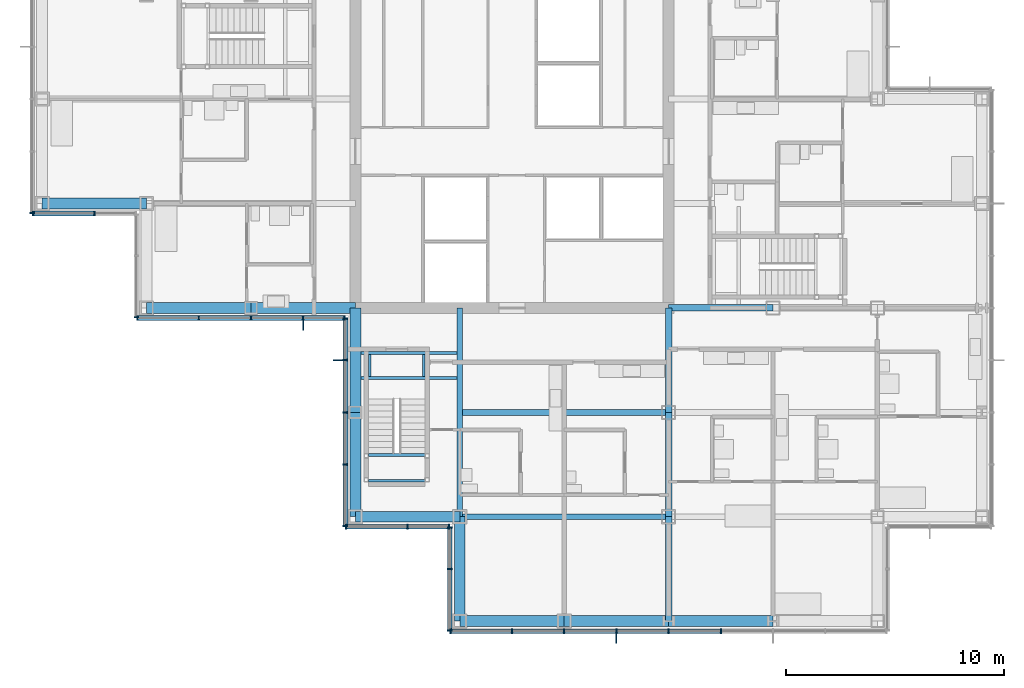
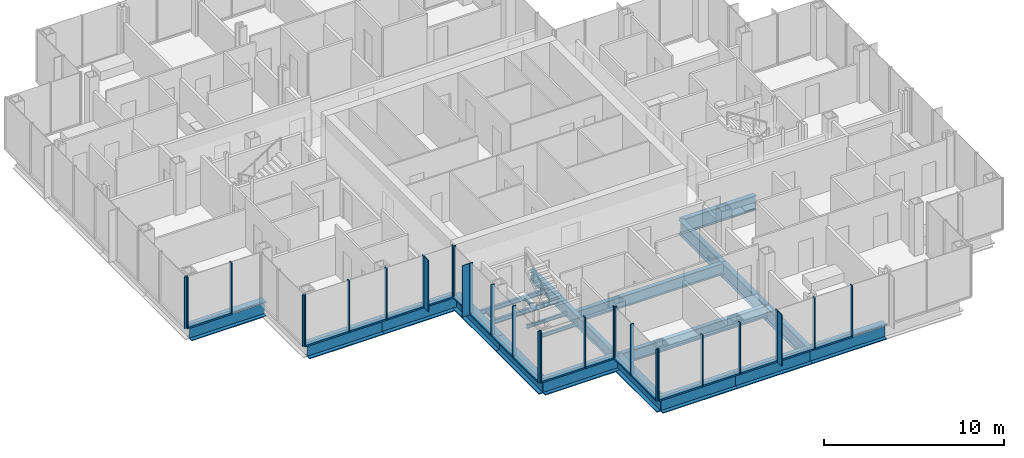
# One storey, part 6 of 20: 47 members, 23 beams, 8 elements without a shape of their own.
"""IFC4 building model written with IfcOpenShell, lengths in metres."""

from ifc_helpers import new_model, si_unit, direction, frame, origin, origin_2d, place, context, subcontext, project, spatial, rectangle, i_section, extrude, material, material_profile, profile_set, type_object, element, aggregate, save


model = new_model("IFC4")

# Units and contexts
model_context = context("Model", 3, precision=1e-05, world=origin(), true_north=direction((0.0, 1.0)))
body_context = subcontext(model_context, "Body", "Model", "MODEL_VIEW")
ifc_project = project(units=[si_unit("LENGTHUNIT", "METRE"), si_unit("AREAUNIT", "SQUARE_METRE"), si_unit("VOLUMEUNIT", "CUBIC_METRE"), si_unit("PLANEANGLEUNIT", "RADIAN"), si_unit("MASSUNIT", "GRAM", prefix="KILO")], contexts=[model_context])

# Site, building, storey
site_placement = place(None, origin())
site = spatial("IfcSite", under=ifc_project, at=site_placement, CompositionType="ELEMENT")
building_placement = place(site_placement, origin())
building = spatial("IfcBuilding", under=site, at=building_placement, Name="Kvirike Care Tower", CompositionType="ELEMENT")
storey_placement = place(building_placement, frame((0.0, 0.0, 105.0)))
storey = spatial("IfcBuildingStorey", under=building, at=storey_placement, Name="L28", CompositionType="ELEMENT", Elevation=105.0)

# Curtain wall, member
ifc_material_1 = material(Name="Anodised aluminium stick system", Category="aluminium")
curtain_wall_type = type_object("IfcCurtainWallType", Name="CW-B STICK CURTAIN WALL", PredefinedType="NOTDEFINED", material=ifc_material_1)
curtain_wall_1_placement = place(storey_placement, origin())
curtain_wall_1 = element("IfcCurtainWall", 1, at=curtain_wall_1_placement, inside=storey, type_object=curtain_wall_type, Name="Curtain wall L28 face 14", PredefinedType="NOTDEFINED")
ifc_material_2 = material(Name="Bronze anodised aluminium fin", Category="aluminium")
ifc_material_profile_1 = material_profile(ifc_material_2, rectangle(XDim=0.050048828125, YDim=0.449951171875, at=origin_2d()), Name="BRONZE FIN 450")
ifc_profile_set_1 = profile_set([ifc_material_profile_1], Name="Bronze anodised aluminium fin")
member_type_1 = type_object("IfcMemberType", Name="BRONZE FIN 450", PredefinedType="USERDEFINED", material=ifc_profile_set_1)
member_1_placement = place(storey_placement, frame((12.0, 28.0048828125, 0.0), z_axis=(0.0, 0.0, 1.0), x_axis=(1.0, 0.0, 0.0)))
member_1 = element("IfcMember", 2, at=member_1_placement, type_object=member_type_1, Name="Bronze fin L28 face 14.4", ObjectType="FIN", PredefinedType="USERDEFINED", context=body_context, shape_type="SweptSolid", body=[
    extrude(rectangle(XDim=0.050048828125, YDim=0.449951171875, at=origin_2d()), origin(), (0.0, 0.0, 1.0), 3.5),
])

curtain_wall_2_placement = place(storey_placement, origin())
curtain_wall_2 = element("IfcCurtainWall", 3, at=curtain_wall_2_placement, inside=storey, type_object=curtain_wall_type, Name="Curtain wall L28 face 15", PredefinedType="NOTDEFINED")
member_2_placement = place(storey_placement, frame((13.60498046875, 26.39990234375, 0.0), z_axis=(0.0, 0.0, 1.0), x_axis=(0.0, -1.0, 0.0)))
member_2 = element("IfcMember", 4, at=member_2_placement, type_object=member_type_1, Name="Bronze fin L28 face 15.2", ObjectType="FIN", PredefinedType="USERDEFINED", context=body_context, shape_type="SweptSolid", body=[
    extrude(rectangle(XDim=0.050048828125, YDim=0.449951171875, at=origin_2d()), origin(), (0.0, 0.0, 1.0), 3.5),
])

curtain_wall_3_placement = place(storey_placement, origin())
curtain_wall_3 = element("IfcCurtainWall", 5, at=curtain_wall_3_placement, inside=storey, type_object=curtain_wall_type, Name="Curtain wall L28 face 18", PredefinedType="NOTDEFINED")
member_3_placement = place(storey_placement, frame((26.39990234375, 13.60498046875, 0.0), z_axis=(0.0, 0.0, 1.0), x_axis=(1.0, 0.0, 0.0)))
member_3 = element("IfcMember", 6, at=member_3_placement, type_object=member_type_1, Name="Bronze fin L28 face 18.4", ObjectType="FIN", PredefinedType="USERDEFINED", context=body_context, shape_type="SweptSolid", body=[
    extrude(rectangle(XDim=0.050048828125, YDim=0.449951171875, at=origin_2d()), origin(), (0.0, 0.0, 1.0), 3.5),
])

curtain_wall_4_placement = place(storey_placement, origin())
curtain_wall_4 = element("IfcCurtainWall", 7, at=curtain_wall_4_placement, inside=storey, type_object=curtain_wall_type, Name="Curtain wall L28 face 11", PredefinedType="NOTDEFINED")
ifc_material_3 = material(Name="Bronze anodised aluminium mullion", Category="aluminium")
ifc_material_profile_2 = material_profile(ifc_material_3, rectangle(XDim=0.06494140625, YDim=0.219970703125, at=origin_2d()), Name="CW-B MULLION 65x220")
ifc_profile_set_2 = profile_set([ifc_material_profile_2], Name="Bronze anodised aluminium mullion")
member_type_2 = type_object("IfcMemberType", Name="CW-B MULLION 65x220", PredefinedType="MULLION", material=ifc_profile_set_2)
member_4_placement = place(storey_placement, frame((-0.4599609375, 33.172607421875, 0.0), z_axis=(0.0, 0.0, 1.0), x_axis=(0.0, -1.0, 0.0)))
member_4 = element("IfcMember", 8, at=member_4_placement, type_object=member_type_2, Name="CW-B mullion L28 face 11.9", PredefinedType="MULLION", context=body_context, shape_type="SweptSolid", body=[
    extrude(rectangle(XDim=0.06494140625, YDim=0.219970703125, at=origin_2d()), origin(), (0.0, 0.0, 1.0), 3.5),
])
aggregate(curtain_wall_4, [member_4])

# Curtain wall, members
curtain_wall_5_placement = place(storey_placement, origin())
curtain_wall_5 = element("IfcCurtainWall", 9, at=curtain_wall_5_placement, inside=storey, type_object=curtain_wall_type, Name="Curtain wall L28 face 12", PredefinedType="NOTDEFINED")
member_5_placement = place(storey_placement, frame((-0.427490234375, 33.139892578125, 0.0), z_axis=(0.0, 0.0, 1.0), x_axis=(1.0, 0.0, 0.0)))
member_5 = element("IfcMember", 10, at=member_5_placement, type_object=member_type_2, Name="CW-B mullion L28 face 12.1", PredefinedType="MULLION", context=body_context, shape_type="SweptSolid", body=[
    extrude(rectangle(XDim=0.06494140625, YDim=0.219970703125, at=origin_2d()), origin(), (0.0, 0.0, 1.0), 3.5),
])
member_6_placement = place(storey_placement, frame((2.39990234375, 33.139892578125, 0.0), z_axis=(0.0, 0.0, 1.0), x_axis=(1.0, 0.0, 0.0)))
member_6 = element("IfcMember", 11, at=member_6_placement, type_object=member_type_2, Name="CW-B mullion L28 face 12.2", PredefinedType="MULLION", context=body_context, shape_type="SweptSolid", body=[
    extrude(rectangle(XDim=0.06494140625, YDim=0.219970703125, at=origin_2d()), origin(), (0.0, 0.0, 1.0), 3.5),
])

# Curtain wall, member
curtain_wall_6_placement = place(storey_placement, origin())
curtain_wall_6 = element("IfcCurtainWall", 12, at=curtain_wall_6_placement, inside=storey, type_object=curtain_wall_type, Name="Curtain wall L28 face 13", PredefinedType="NOTDEFINED")
member_7_placement = place(storey_placement, frame((4.340087890625, 28.37255859375, 0.0), z_axis=(0.0, 0.0, 1.0), x_axis=(0.0, -1.0, 0.0)))
member_7 = element("IfcMember", 13, at=member_7_placement, type_object=member_type_2, Name="CW-B mullion L28 face 13.3", PredefinedType="MULLION", context=body_context, shape_type="SweptSolid", body=[
    extrude(rectangle(XDim=0.06494140625, YDim=0.219970703125, at=origin_2d()), origin(), (0.0, 0.0, 1.0), 3.5),
])
aggregate(curtain_wall_6, [member_7])

# Member
member_8_placement = place(storey_placement, frame((4.37255859375, 28.340087890625, 0.0), z_axis=(0.0, 0.0, 1.0), x_axis=(1.0, 0.0, 0.0)))
member_8 = element("IfcMember", 14, at=member_8_placement, type_object=member_type_2, Name="CW-B mullion L28 face 14.1", PredefinedType="MULLION", context=body_context, shape_type="SweptSolid", body=[
    extrude(rectangle(XDim=0.06494140625, YDim=0.219970703125, at=origin_2d()), origin(), (0.0, 0.0, 1.0), 3.5),
])

member_9_placement = place(storey_placement, frame((7.199951171875, 28.340087890625, 0.0), z_axis=(0.0, 0.0, 1.0), x_axis=(1.0, 0.0, 0.0)))
member_9 = element("IfcMember", 15, at=member_9_placement, type_object=member_type_2, Name="CW-B mullion L28 face 14.2", PredefinedType="MULLION", context=body_context, shape_type="SweptSolid", body=[
    extrude(rectangle(XDim=0.06494140625, YDim=0.219970703125, at=origin_2d()), origin(), (0.0, 0.0, 1.0), 3.5),
])

member_10_placement = place(storey_placement, frame((9.60009765625, 28.340087890625, 0.0), z_axis=(0.0, 0.0, 1.0), x_axis=(1.0, 0.0, 0.0)))
member_10 = element("IfcMember", 16, at=member_10_placement, type_object=member_type_2, Name="CW-B mullion L28 face 14.3", PredefinedType="MULLION", context=body_context, shape_type="SweptSolid", body=[
    extrude(rectangle(XDim=0.06494140625, YDim=0.219970703125, at=origin_2d()), origin(), (0.0, 0.0, 1.0), 3.5),
])

member_11_placement = place(storey_placement, frame((12.0, 28.340087890625, 0.0), z_axis=(0.0, 0.0, 1.0), x_axis=(1.0, 0.0, 0.0)))
member_11 = element("IfcMember", 17, at=member_11_placement, type_object=member_type_2, Name="CW-B mullion L28 face 14.4", PredefinedType="MULLION", context=body_context, shape_type="SweptSolid", body=[
    extrude(rectangle(XDim=0.06494140625, YDim=0.219970703125, at=origin_2d()), origin(), (0.0, 0.0, 1.0), 3.5),
])

member_12_placement = place(storey_placement, frame((13.907470703125, 28.340087890625, 0.0), z_axis=(0.0, 0.0, 1.0), x_axis=(1.0, 0.0, 0.0)))
member_12 = element("IfcMember", 18, at=member_12_placement, type_object=member_type_2, Name="CW-B mullion L28 face 14.5", PredefinedType="MULLION", context=body_context, shape_type="SweptSolid", body=[
    extrude(rectangle(XDim=0.06494140625, YDim=0.219970703125, at=origin_2d()), origin(), (0.0, 0.0, 1.0), 3.5),
])

member_13_placement = place(storey_placement, frame((13.93994140625, 28.3076171875, 0.0), z_axis=(0.0, 0.0, 1.0), x_axis=(0.0, -1.0, 0.0)))
member_13 = element("IfcMember", 19, at=member_13_placement, type_object=member_type_2, Name="CW-B mullion L28 face 15.1", PredefinedType="MULLION", context=body_context, shape_type="SweptSolid", body=[
    extrude(rectangle(XDim=0.06494140625, YDim=0.219970703125, at=origin_2d()), origin(), (0.0, 0.0, 1.0), 3.5),
])

member_14_placement = place(storey_placement, frame((13.93994140625, 26.39990234375, 0.0), z_axis=(0.0, 0.0, 1.0), x_axis=(0.0, -1.0, 0.0)))
member_14 = element("IfcMember", 20, at=member_14_placement, type_object=member_type_2, Name="CW-B mullion L28 face 15.2", PredefinedType="MULLION", context=body_context, shape_type="SweptSolid", body=[
    extrude(rectangle(XDim=0.06494140625, YDim=0.219970703125, at=origin_2d()), origin(), (0.0, 0.0, 1.0), 3.5),
])

member_15_placement = place(storey_placement, frame((13.93994140625, 24.0, 0.0), z_axis=(0.0, 0.0, 1.0), x_axis=(0.0, -1.0, 0.0)))
member_15 = element("IfcMember", 21, at=member_15_placement, type_object=member_type_2, Name="CW-B mullion L28 face 15.3", PredefinedType="MULLION", context=body_context, shape_type="SweptSolid", body=[
    extrude(rectangle(XDim=0.06494140625, YDim=0.219970703125, at=origin_2d()), origin(), (0.0, 0.0, 1.0), 3.5),
])

member_16_placement = place(storey_placement, frame((13.93994140625, 21.60009765625, 0.0), z_axis=(0.0, 0.0, 1.0), x_axis=(0.0, -1.0, 0.0)))
member_16 = element("IfcMember", 22, at=member_16_placement, type_object=member_type_2, Name="CW-B mullion L28 face 15.4", PredefinedType="MULLION", context=body_context, shape_type="SweptSolid", body=[
    extrude(rectangle(XDim=0.06494140625, YDim=0.219970703125, at=origin_2d()), origin(), (0.0, 0.0, 1.0), 3.5),
])

member_17_placement = place(storey_placement, frame((13.93994140625, 18.7724609375, 0.0), z_axis=(0.0, 0.0, 1.0), x_axis=(0.0, -1.0, 0.0)))
member_17 = element("IfcMember", 23, at=member_17_placement, type_object=member_type_2, Name="CW-B mullion L28 face 15.5", PredefinedType="MULLION", context=body_context, shape_type="SweptSolid", body=[
    extrude(rectangle(XDim=0.06494140625, YDim=0.219970703125, at=origin_2d()), origin(), (0.0, 0.0, 1.0), 3.5),
])

# Curtain wall, members
curtain_wall_7_placement = place(storey_placement, origin())
curtain_wall_7 = element("IfcCurtainWall", 24, at=curtain_wall_7_placement, inside=storey, type_object=curtain_wall_type, Name="Curtain wall L28 face 16", PredefinedType="NOTDEFINED")
member_18_placement = place(storey_placement, frame((13.972412109375, 18.739990234375, 0.0), z_axis=(0.0, 0.0, 1.0), x_axis=(1.0, 0.0, 0.0)))
member_18 = element("IfcMember", 25, at=member_18_placement, type_object=member_type_2, Name="CW-B mullion L28 face 16.1", PredefinedType="MULLION", context=body_context, shape_type="SweptSolid", body=[
    extrude(rectangle(XDim=0.06494140625, YDim=0.219970703125, at=origin_2d()), origin(), (0.0, 0.0, 1.0), 3.5),
])
member_19_placement = place(storey_placement, frame((16.800048828125, 18.739990234375, 0.0), z_axis=(0.0, 0.0, 1.0), x_axis=(1.0, 0.0, 0.0)))
member_19 = element("IfcMember", 26, at=member_19_placement, type_object=member_type_2, Name="CW-B mullion L28 face 16.2", PredefinedType="MULLION", context=body_context, shape_type="SweptSolid", body=[
    extrude(rectangle(XDim=0.06494140625, YDim=0.219970703125, at=origin_2d()), origin(), (0.0, 0.0, 1.0), 3.5),
])
member_20_placement = place(storey_placement, frame((18.70751953125, 18.739990234375, 0.0), z_axis=(0.0, 0.0, 1.0), x_axis=(1.0, 0.0, 0.0)))
member_20 = element("IfcMember", 27, at=member_20_placement, type_object=member_type_2, Name="CW-B mullion L28 face 16.3", PredefinedType="MULLION", context=body_context, shape_type="SweptSolid", body=[
    extrude(rectangle(XDim=0.06494140625, YDim=0.219970703125, at=origin_2d()), origin(), (0.0, 0.0, 1.0), 3.5),
])

curtain_wall_8_placement = place(storey_placement, origin())
curtain_wall_8 = element("IfcCurtainWall", 28, at=curtain_wall_8_placement, inside=storey, type_object=curtain_wall_type, Name="Curtain wall L28 face 17", PredefinedType="NOTDEFINED")
member_21_placement = place(storey_placement, frame((18.739990234375, 18.70751953125, 0.0), z_axis=(0.0, 0.0, 1.0), x_axis=(0.0, -1.0, 0.0)))
member_21 = element("IfcMember", 29, at=member_21_placement, type_object=member_type_2, Name="CW-B mullion L28 face 17.1", PredefinedType="MULLION", context=body_context, shape_type="SweptSolid", body=[
    extrude(rectangle(XDim=0.06494140625, YDim=0.219970703125, at=origin_2d()), origin(), (0.0, 0.0, 1.0), 3.5),
])
member_22_placement = place(storey_placement, frame((18.739990234375, 16.800048828125, 0.0), z_axis=(0.0, 0.0, 1.0), x_axis=(0.0, -1.0, 0.0)))
member_22 = element("IfcMember", 30, at=member_22_placement, type_object=member_type_2, Name="CW-B mullion L28 face 17.2", PredefinedType="MULLION", context=body_context, shape_type="SweptSolid", body=[
    extrude(rectangle(XDim=0.06494140625, YDim=0.219970703125, at=origin_2d()), origin(), (0.0, 0.0, 1.0), 3.5),
])
member_23_placement = place(storey_placement, frame((18.739990234375, 13.972412109375, 0.0), z_axis=(0.0, 0.0, 1.0), x_axis=(0.0, -1.0, 0.0)))
member_23 = element("IfcMember", 31, at=member_23_placement, type_object=member_type_2, Name="CW-B mullion L28 face 17.3", PredefinedType="MULLION", context=body_context, shape_type="SweptSolid", body=[
    extrude(rectangle(XDim=0.06494140625, YDim=0.219970703125, at=origin_2d()), origin(), (0.0, 0.0, 1.0), 3.5),
])

# Member
member_24_placement = place(storey_placement, frame((18.7724609375, 13.93994140625, 0.0), z_axis=(0.0, 0.0, 1.0), x_axis=(1.0, 0.0, 0.0)))
member_24 = element("IfcMember", 32, at=member_24_placement, type_object=member_type_2, Name="CW-B mullion L28 face 18.1", PredefinedType="MULLION", context=body_context, shape_type="SweptSolid", body=[
    extrude(rectangle(XDim=0.06494140625, YDim=0.219970703125, at=origin_2d()), origin(), (0.0, 0.0, 1.0), 3.5),
])

member_25_placement = place(storey_placement, frame((21.60009765625, 13.93994140625, 0.0), z_axis=(0.0, 0.0, 1.0), x_axis=(1.0, 0.0, 0.0)))
member_25 = element("IfcMember", 33, at=member_25_placement, type_object=member_type_2, Name="CW-B mullion L28 face 18.2", PredefinedType="MULLION", context=body_context, shape_type="SweptSolid", body=[
    extrude(rectangle(XDim=0.06494140625, YDim=0.219970703125, at=origin_2d()), origin(), (0.0, 0.0, 1.0), 3.5),
])

member_26_placement = place(storey_placement, frame((24.0, 13.93994140625, 0.0), z_axis=(0.0, 0.0, 1.0), x_axis=(1.0, 0.0, 0.0)))
member_26 = element("IfcMember", 34, at=member_26_placement, type_object=member_type_2, Name="CW-B mullion L28 face 18.3", PredefinedType="MULLION", context=body_context, shape_type="SweptSolid", body=[
    extrude(rectangle(XDim=0.06494140625, YDim=0.219970703125, at=origin_2d()), origin(), (0.0, 0.0, 1.0), 3.5),
])

member_27_placement = place(storey_placement, frame((26.39990234375, 13.93994140625, 0.0), z_axis=(0.0, 0.0, 1.0), x_axis=(1.0, 0.0, 0.0)))
member_27 = element("IfcMember", 35, at=member_27_placement, type_object=member_type_2, Name="CW-B mullion L28 face 18.4", PredefinedType="MULLION", context=body_context, shape_type="SweptSolid", body=[
    extrude(rectangle(XDim=0.06494140625, YDim=0.219970703125, at=origin_2d()), origin(), (0.0, 0.0, 1.0), 3.5),
])

member_28_placement = place(storey_placement, frame((28.800048828125, 13.93994140625, 0.0), z_axis=(0.0, 0.0, 1.0), x_axis=(1.0, 0.0, 0.0)))
member_28 = element("IfcMember", 36, at=member_28_placement, type_object=member_type_2, Name="CW-B mullion L28 face 18.5", PredefinedType="MULLION", context=body_context, shape_type="SweptSolid", body=[
    extrude(rectangle(XDim=0.06494140625, YDim=0.219970703125, at=origin_2d()), origin(), (0.0, 0.0, 1.0), 3.5),
])

member_29_placement = place(storey_placement, frame((31.199951171875, 13.93994140625, 0.0), z_axis=(0.0, 0.0, 1.0), x_axis=(1.0, 0.0, 0.0)))
member_29 = element("IfcMember", 37, at=member_29_placement, type_object=member_type_2, Name="CW-B mullion L28 face 18.6", PredefinedType="MULLION", context=body_context, shape_type="SweptSolid", body=[
    extrude(rectangle(XDim=0.06494140625, YDim=0.219970703125, at=origin_2d()), origin(), (0.0, 0.0, 1.0), 3.5),
])

ifc_material_4 = material(Name="Bronze anodised aluminium transom", Category="aluminium")
ifc_material_profile_3 = material_profile(ifc_material_4, rectangle(XDim=0.219970703125, YDim=0.10009765625, at=origin_2d()), Name="CW-B TRANSOM 220x100")
ifc_profile_set_3 = profile_set([ifc_material_profile_3], Name="Bronze anodised aluminium transom")
member_type_3 = type_object("IfcMemberType", Name="CW-B TRANSOM 220x100", PredefinedType="USERDEFINED", material=ifc_profile_set_3)
member_30_placement = place(storey_placement, frame((-0.39501953125, 33.139892578125, 0.050048828125), z_axis=(1.0, 0.0, 0.0), x_axis=(0.0, 1.0, 0.0)))
member_30 = element("IfcMember", 38, at=member_30_placement, type_object=member_type_3, Name="CW-B sill transom L28 face 12.1", ObjectType="TRANSOM", PredefinedType="USERDEFINED", context=body_context, shape_type="SweptSolid", body=[
    extrude(rectangle(XDim=0.219970703125, YDim=0.10009765625, at=origin_2d()), origin(), (0.0, 0.0, 1.0), 2.762451171875),
])

aggregate(curtain_wall_5, [member_5, member_6, member_30])

member_31_placement = place(storey_placement, frame((4.405029296875, 28.340087890625, 0.050048828125), z_axis=(1.0, 0.0, 0.0), x_axis=(0.0, 1.0, 0.0)))
member_31 = element("IfcMember", 39, at=member_31_placement, type_object=member_type_3, Name="CW-B sill transom L28 face 14.1", ObjectType="TRANSOM", PredefinedType="USERDEFINED", context=body_context, shape_type="SweptSolid", body=[
    extrude(rectangle(XDim=0.219970703125, YDim=0.10009765625, at=origin_2d()), origin(), (0.0, 0.0, 1.0), 2.762451171875),
])

member_32_placement = place(storey_placement, frame((7.232421875, 28.340087890625, 0.050048828125), z_axis=(1.0, 0.0, 0.0), x_axis=(0.0, 1.0, 0.0)))
member_32 = element("IfcMember", 40, at=member_32_placement, type_object=member_type_3, Name="CW-B sill transom L28 face 14.2", ObjectType="TRANSOM", PredefinedType="USERDEFINED", context=body_context, shape_type="SweptSolid", body=[
    extrude(rectangle(XDim=0.219970703125, YDim=0.10009765625, at=origin_2d()), origin(), (0.0, 0.0, 1.0), 2.3349609375),
])

member_33_placement = place(storey_placement, frame((9.632568359375, 28.340087890625, 0.050048828125), z_axis=(1.0, 0.0, 0.0), x_axis=(0.0, 1.0, 0.0)))
member_33 = element("IfcMember", 41, at=member_33_placement, type_object=member_type_3, Name="CW-B sill transom L28 face 14.3", ObjectType="TRANSOM", PredefinedType="USERDEFINED", context=body_context, shape_type="SweptSolid", body=[
    extrude(rectangle(XDim=0.219970703125, YDim=0.10009765625, at=origin_2d()), origin(), (0.0, 0.0, 1.0), 2.3349609375),
])

member_34_placement = place(storey_placement, frame((12.032470703125, 28.340087890625, 0.050048828125), z_axis=(1.0, 0.0, 0.0), x_axis=(0.0, 1.0, 0.0)))
member_34 = element("IfcMember", 42, at=member_34_placement, type_object=member_type_3, Name="CW-B sill transom L28 face 14.4", ObjectType="TRANSOM", PredefinedType="USERDEFINED", context=body_context, shape_type="SweptSolid", body=[
    extrude(rectangle(XDim=0.219970703125, YDim=0.10009765625, at=origin_2d()), origin(), (0.0, 0.0, 1.0), 1.842529296875),
])

aggregate(curtain_wall_1, [member_8, member_9, member_10, member_11, member_1, member_12, member_31, member_32, member_33, member_34])

member_35_placement = place(storey_placement, frame((13.93994140625, 28.27490234375, 0.050048828125), z_axis=(0.0, -1.0, 0.0), x_axis=(1.0, 0.0, 0.0)))
member_35 = element("IfcMember", 43, at=member_35_placement, type_object=member_type_3, Name="CW-B sill transom L28 face 15.1", ObjectType="TRANSOM", PredefinedType="USERDEFINED", context=body_context, shape_type="SweptSolid", body=[
    extrude(rectangle(XDim=0.219970703125, YDim=0.10009765625, at=origin_2d()), origin(), (0.0, 0.0, 1.0), 1.84228515625),
])

member_36_placement = place(storey_placement, frame((13.93994140625, 26.367431640625, 0.050048828125), z_axis=(0.0, -1.0, 0.0), x_axis=(1.0, 0.0, 0.0)))
member_36 = element("IfcMember", 44, at=member_36_placement, type_object=member_type_3, Name="CW-B sill transom L28 face 15.2", ObjectType="TRANSOM", PredefinedType="USERDEFINED", context=body_context, shape_type="SweptSolid", body=[
    extrude(rectangle(XDim=0.219970703125, YDim=0.10009765625, at=origin_2d()), origin(), (0.0, 0.0, 1.0), 2.3349609375),
])

member_37_placement = place(storey_placement, frame((13.93994140625, 23.967529296875, 0.050048828125), z_axis=(0.0, -1.0, 0.0), x_axis=(1.0, 0.0, 0.0)))
member_37 = element("IfcMember", 45, at=member_37_placement, type_object=member_type_3, Name="CW-B sill transom L28 face 15.3", ObjectType="TRANSOM", PredefinedType="USERDEFINED", context=body_context, shape_type="SweptSolid", body=[
    extrude(rectangle(XDim=0.219970703125, YDim=0.10009765625, at=origin_2d()), origin(), (0.0, 0.0, 1.0), 2.3349609375),
])

member_38_placement = place(storey_placement, frame((13.93994140625, 21.5673828125, 0.050048828125), z_axis=(0.0, -1.0, 0.0), x_axis=(1.0, 0.0, 0.0)))
member_38 = element("IfcMember", 46, at=member_38_placement, type_object=member_type_3, Name="CW-B sill transom L28 face 15.4", ObjectType="TRANSOM", PredefinedType="USERDEFINED", context=body_context, shape_type="SweptSolid", body=[
    extrude(rectangle(XDim=0.219970703125, YDim=0.10009765625, at=origin_2d()), origin(), (0.0, 0.0, 1.0), 2.762451171875),
])

aggregate(curtain_wall_2, [member_13, member_14, member_2, member_15, member_16, member_17, member_35, member_36, member_37, member_38])

member_39_placement = place(storey_placement, frame((14.0048828125, 18.739990234375, 0.050048828125), z_axis=(1.0, 0.0, 0.0), x_axis=(0.0, 1.0, 0.0)))
member_39 = element("IfcMember", 47, at=member_39_placement, type_object=member_type_3, Name="CW-B sill transom L28 face 16.1", ObjectType="TRANSOM", PredefinedType="USERDEFINED", context=body_context, shape_type="SweptSolid", body=[
    extrude(rectangle(XDim=0.219970703125, YDim=0.10009765625, at=origin_2d()), origin(), (0.0, 0.0, 1.0), 2.7626953125),
])

member_40_placement = place(storey_placement, frame((16.83251953125, 18.739990234375, 0.050048828125), z_axis=(1.0, 0.0, 0.0), x_axis=(0.0, 1.0, 0.0)))
member_40 = element("IfcMember", 48, at=member_40_placement, type_object=member_type_3, Name="CW-B sill transom L28 face 16.2", ObjectType="TRANSOM", PredefinedType="USERDEFINED", context=body_context, shape_type="SweptSolid", body=[
    extrude(rectangle(XDim=0.219970703125, YDim=0.10009765625, at=origin_2d()), origin(), (0.0, 0.0, 1.0), 1.842529296875),
])

aggregate(curtain_wall_7, [member_18, member_19, member_20, member_39, member_40])

member_41_placement = place(storey_placement, frame((18.739990234375, 18.675048828125, 0.050048828125), z_axis=(0.0, -1.0, 0.0), x_axis=(1.0, 0.0, 0.0)))
member_41 = element("IfcMember", 49, at=member_41_placement, type_object=member_type_3, Name="CW-B sill transom L28 face 17.1", ObjectType="TRANSOM", PredefinedType="USERDEFINED", context=body_context, shape_type="SweptSolid", body=[
    extrude(rectangle(XDim=0.219970703125, YDim=0.10009765625, at=origin_2d()), origin(), (0.0, 0.0, 1.0), 1.842529296875),
])

member_42_placement = place(storey_placement, frame((18.739990234375, 16.767578125, 0.050048828125), z_axis=(0.0, -1.0, 0.0), x_axis=(1.0, 0.0, 0.0)))
member_42 = element("IfcMember", 50, at=member_42_placement, type_object=member_type_3, Name="CW-B sill transom L28 face 17.2", ObjectType="TRANSOM", PredefinedType="USERDEFINED", context=body_context, shape_type="SweptSolid", body=[
    extrude(rectangle(XDim=0.219970703125, YDim=0.10009765625, at=origin_2d()), origin(), (0.0, 0.0, 1.0), 2.7626953125),
])

aggregate(curtain_wall_8, [member_21, member_22, member_23, member_41, member_42])

member_43_placement = place(storey_placement, frame((18.804931640625, 13.93994140625, 0.050048828125), z_axis=(1.0, 0.0, 0.0), x_axis=(0.0, 1.0, 0.0)))
member_43 = element("IfcMember", 51, at=member_43_placement, type_object=member_type_3, Name="CW-B sill transom L28 face 18.1", ObjectType="TRANSOM", PredefinedType="USERDEFINED", context=body_context, shape_type="SweptSolid", body=[
    extrude(rectangle(XDim=0.219970703125, YDim=0.10009765625, at=origin_2d()), origin(), (0.0, 0.0, 1.0), 2.762451171875),
])

member_44_placement = place(storey_placement, frame((21.632568359375, 13.93994140625, 0.050048828125), z_axis=(1.0, 0.0, 0.0), x_axis=(0.0, 1.0, 0.0)))
member_44 = element("IfcMember", 52, at=member_44_placement, type_object=member_type_3, Name="CW-B sill transom L28 face 18.2", ObjectType="TRANSOM", PredefinedType="USERDEFINED", context=body_context, shape_type="SweptSolid", body=[
    extrude(rectangle(XDim=0.219970703125, YDim=0.10009765625, at=origin_2d()), origin(), (0.0, 0.0, 1.0), 2.3349609375),
])

member_45_placement = place(storey_placement, frame((24.032470703125, 13.93994140625, 0.050048828125), z_axis=(1.0, 0.0, 0.0), x_axis=(0.0, 1.0, 0.0)))
member_45 = element("IfcMember", 53, at=member_45_placement, type_object=member_type_3, Name="CW-B sill transom L28 face 18.3", ObjectType="TRANSOM", PredefinedType="USERDEFINED", context=body_context, shape_type="SweptSolid", body=[
    extrude(rectangle(XDim=0.219970703125, YDim=0.10009765625, at=origin_2d()), origin(), (0.0, 0.0, 1.0), 2.3349609375),
])

member_46_placement = place(storey_placement, frame((26.4326171875, 13.93994140625, 0.050048828125), z_axis=(1.0, 0.0, 0.0), x_axis=(0.0, 1.0, 0.0)))
member_46 = element("IfcMember", 54, at=member_46_placement, type_object=member_type_3, Name="CW-B sill transom L28 face 18.4", ObjectType="TRANSOM", PredefinedType="USERDEFINED", context=body_context, shape_type="SweptSolid", body=[
    extrude(rectangle(XDim=0.219970703125, YDim=0.10009765625, at=origin_2d()), origin(), (0.0, 0.0, 1.0), 2.3349609375),
])

member_47_placement = place(storey_placement, frame((28.83251953125, 13.93994140625, 0.050048828125), z_axis=(1.0, 0.0, 0.0), x_axis=(0.0, 1.0, 0.0)))
member_47 = element("IfcMember", 55, at=member_47_placement, type_object=member_type_3, Name="CW-B sill transom L28 face 18.5", ObjectType="TRANSOM", PredefinedType="USERDEFINED", context=body_context, shape_type="SweptSolid", body=[
    extrude(rectangle(XDim=0.219970703125, YDim=0.10009765625, at=origin_2d()), origin(), (0.0, 0.0, 1.0), 2.3349609375),
])

aggregate(curtain_wall_3, [member_24, member_25, member_26, member_27, member_3, member_28, member_29, member_43, member_44, member_45, member_46, member_47])

# Beams
ifc_material_5 = material(Name="Steel S355", Category="steel")
ifc_material_profile_4 = material_profile(ifc_material_5, i_section(OverallWidth=0.26806640625, OverallDepth=0.77001953125, WebThickness=0.015625, FlangeThickness=0.025390625, FilletRadius=0.01708984375, at=origin_2d()), Name="IPE 750x196")
ifc_profile_set_4 = profile_set([ifc_material_profile_4], Name="Steel S355")
beam_type_1 = type_object("IfcBeamType", Name="FLOOR BEAM IPE 750x196", PredefinedType="BEAM", material=ifc_profile_set_4)
for number, where, z_axis, x_axis, name in (
    (56, (19.199951171875, 19.199951171875, -0.554931640625), (1.0, 0.0, 0.0), (0.0, 1.0, 0.0), "Floor Beam E7-E9 L28"),
    (57, (19.199951171875, 24.0, -0.554931640625), (1.0, 0.0, 0.0), (0.0, 1.0, 0.0), "Floor Beam F7-F9 L28"),
    (58, (19.199951171875, 19.199951171875, -0.554931640625), (0.0, 1.0, 0.0), (-1.0, 0.0, 0.0), "Floor Beam E7-G7 L28"),
):
    element("IfcBeam", number, at=place(storey_placement, frame(where, z_axis=z_axis, x_axis=x_axis)), inside=storey, type_object=beam_type_1, Name=name, PredefinedType="BEAM", context=body_context, shape_type="SweptSolid", body=[
        extrude(i_section(OverallWidth=0.26806640625, OverallDepth=0.77001953125, WebThickness=0.015625, FlangeThickness=0.025390625, FilletRadius=0.01708984375, at=origin_2d()), origin(), (0.0, 0.0, 1.0), 9.60009765625),
    ])
ifc_material_6 = material(Name="Steel S355", Category="steel")
ifc_material_profile_5 = material_profile(ifc_material_6, i_section(OverallWidth=0.300048828125, OverallDepth=1.0, WebThickness=0.01904296875, FlangeThickness=0.035888671875, FilletRadius=0.030029296875, at=origin_2d()), Name="HE 1000 B")
ifc_profile_set_5 = profile_set([ifc_material_profile_5], Name="Steel S355")
beam_type_2 = type_object("IfcBeamType", Name="FRAME BEAM HE 1000 B", PredefinedType="BEAM", material=ifc_profile_set_5)
for number, where, z_axis, x_axis, name in (
    (59, (28.800048828125, 28.800048828125, -0.669921875), (1.0, 0.0, 0.0), (0.0, 1.0, 0.0), "Frame Beam G9-G10 L28"),
    (60, (28.800048828125, 14.39990234375, -0.669921875), (0.0, 1.0, 0.0), (-1.0, 0.0, 0.0), "Frame Beam D9-E9 L28"),
    (61, (28.800048828125, 19.199951171875, -0.669921875), (0.0, 1.0, 0.0), (-1.0, 0.0, 0.0), "Frame Beam E9-F9 L28"),
    (62, (28.800048828125, 24.0, -0.669921875), (0.0, 1.0, 0.0), (-1.0, 0.0, 0.0), "Frame Beam F9-G9 L28"),
):
    element("IfcBeam", number, at=place(storey_placement, frame(where, z_axis=z_axis, x_axis=x_axis)), inside=storey, type_object=beam_type_2, Name=name, PredefinedType="BEAM", context=body_context, shape_type="SweptSolid", body=[
        extrude(i_section(OverallWidth=0.300048828125, OverallDepth=1.0, WebThickness=0.01904296875, FlangeThickness=0.035888671875, FilletRadius=0.030029296875, at=origin_2d()), origin(), (0.0, 0.0, 1.0), 4.800048828125),
    ])
ifc_material_7 = material(Name="Steel S355", Category="steel")
ifc_material_profile_6 = material_profile(ifc_material_7, i_section(OverallWidth=0.5, OverallDepth=1.0, WebThickness=0.030029296875, FlangeThickness=0.06005859375, at=origin_2d()), Name="PG 1000x500x30x60")
ifc_profile_set_6 = profile_set([ifc_material_profile_6], Name="Steel S355")
beam_type_3 = type_object("IfcBeamType", Name="SPANDREL PG 1000x500x30x60", PredefinedType="SPANDREL", material=ifc_profile_set_6)
for number, where, z_axis, x_axis, name in (
    (63, (19.199951171875, 14.39990234375, -0.669921875), (1.0, 0.0, 0.0), (0.0, 1.0, 0.0), "Spandrel D7-D8 L28"),
    (64, (24.0, 14.39990234375, -0.669921875), (1.0, 0.0, 0.0), (0.0, 1.0, 0.0), "Spandrel D8-D9 L28"),
    (65, (28.800048828125, 14.39990234375, -0.669921875), (1.0, 0.0, 0.0), (0.0, 1.0, 0.0), "Spandrel D9-D10 L28"),
    (66, (14.39990234375, 19.199951171875, -0.669921875), (1.0, 0.0, 0.0), (0.0, 1.0, 0.0), "Spandrel E6-E7 L28"),
    (67, (4.800048828125, 28.800048828125, -0.669921875), (1.0, 0.0, 0.0), (0.0, 1.0, 0.0), "Spandrel G4-G5 L28"),
):
    element("IfcBeam", number, at=place(storey_placement, frame(where, z_axis=z_axis, x_axis=x_axis)), inside=storey, type_object=beam_type_3, Name=name, PredefinedType="SPANDREL", context=body_context, shape_type="SweptSolid", body=[
        extrude(i_section(OverallWidth=0.5, OverallDepth=1.0, WebThickness=0.030029296875, FlangeThickness=0.06005859375, at=origin_2d()), origin(), (0.0, 0.0, 1.0), 4.800048828125),
    ])
beam_placement = place(storey_placement, frame((9.60009765625, 28.800048828125, -0.669921875), z_axis=(1.0, 0.0, 0.0), x_axis=(0.0, 1.0, 0.0)))
element("IfcBeam", 68, at=beam_placement, inside=storey, type_object=beam_type_3, Name="Spandrel G5-G6 L28", PredefinedType="SPANDREL", context=body_context, shape_type="SweptSolid", body=[
    extrude(i_section(OverallWidth=0.5, OverallDepth=1.0, WebThickness=0.030029296875, FlangeThickness=0.06005859375, at=origin_2d()), origin(), (0.0, 0.0, 1.0), 4.7998046875),
])
for number, where, z_axis, x_axis, name in (
    (69, (0.0, 33.60009765625, -0.669921875), (1.0, 0.0, 0.0), (0.0, 1.0, 0.0), "Spandrel H3-H4 L28"),
    (70, (14.39990234375, 19.199951171875, -0.669921875), (0.0, 1.0, 0.0), (-1.0, 0.0, 0.0), "Spandrel E6-F6 L28"),
    (71, (14.39990234375, 24.0, -0.669921875), (0.0, 1.0, 0.0), (-1.0, 0.0, 0.0), "Spandrel F6-G6 L28"),
    (72, (19.199951171875, 14.39990234375, -0.669921875), (0.0, 1.0, 0.0), (-1.0, 0.0, 0.0), "Spandrel D7-E7 L28"),
):
    element("IfcBeam", number, at=place(storey_placement, frame(where, z_axis=z_axis, x_axis=x_axis)), inside=storey, type_object=beam_type_3, Name=name, PredefinedType="SPANDREL", context=body_context, shape_type="SweptSolid", body=[
        extrude(i_section(OverallWidth=0.5, OverallDepth=1.0, WebThickness=0.030029296875, FlangeThickness=0.06005859375, at=origin_2d()), origin(), (0.0, 0.0, 1.0), 4.800048828125),
    ])
ifc_material_8 = material(Name="Steel S355", Category="steel")
ifc_material_profile_7 = material_profile(ifc_material_8, i_section(OverallWidth=0.1201171875, OverallDepth=0.239990234375, WebThickness=0.006103515625, FlangeThickness=0.009765625, FilletRadius=0.014892578125, at=origin_2d()), Name="IPE 240")
ifc_profile_set_7 = profile_set([ifc_material_profile_7], Name="Steel S355")
beam_type_4 = type_object("IfcBeamType", Name="STAIR LANDING BEAM IPE 240", PredefinedType="BEAM", material=ifc_profile_set_7)
for number, where, z_axis, x_axis, name in (
    (73, (15.0, 20.860107421875, 1.429931640625), (1.0, 0.0, 0.0), (0.0, 1.0, 0.0), "Stair 5 landing beam back L28"),
    (74, (15.0, 22.0400390625, 1.429931640625), (1.0, 0.0, 0.0), (0.0, 1.0, 0.0), "Stair 5 landing beam front L28"),
):
    element("IfcBeam", number, at=place(storey_placement, frame(where, z_axis=z_axis, x_axis=x_axis)), inside=storey, type_object=beam_type_4, Name=name, PredefinedType="BEAM", context=body_context, shape_type="SweptSolid", body=[
        extrude(i_section(OverallWidth=0.1201171875, OverallDepth=0.239990234375, WebThickness=0.006103515625, FlangeThickness=0.009765625, FilletRadius=0.014892578125, at=origin_2d()), origin(), (0.0, 0.0, 1.0), 2.60009765625),
    ])
for number, where, z_axis, x_axis, name in (
    (75, (15.06005859375, 25.64990234375, -0.320068359375), (0.0, 1.0, 0.0), (-1.0, 0.0, 0.0), "Stair 5 landing edge beam 1 L28"),
    (76, (17.5400390625, 25.64990234375, -0.320068359375), (0.0, 1.0, 0.0), (-1.0, 0.0, 0.0), "Stair 5 landing edge beam 2 L28"),
):
    element("IfcBeam", number, at=place(storey_placement, frame(where, z_axis=z_axis, x_axis=x_axis)), inside=storey, type_object=beam_type_4, Name=name, PredefinedType="BEAM", context=body_context, shape_type="SweptSolid", body=[
        extrude(i_section(OverallWidth=0.1201171875, OverallDepth=0.239990234375, WebThickness=0.006103515625, FlangeThickness=0.009765625, FilletRadius=0.014892578125, at=origin_2d()), origin(), (0.0, 0.0, 1.0), 1.0),
    ])
ifc_material_9 = material(Name="Steel S355", Category="steel")
ifc_material_profile_8 = material_profile(ifc_material_9, i_section(OverallWidth=0.14990234375, OverallDepth=0.300048828125, WebThickness=0.007080078125, FlangeThickness=0.0107421875, FilletRadius=0.014892578125, at=origin_2d()), Name="IPE 300")
ifc_profile_set_8 = profile_set([ifc_material_profile_8], Name="Steel S355")
beam_type_5 = type_object("IfcBeamType", Name="STAIR TRIMMER IPE 300", PredefinedType="BEAM", material=ifc_profile_set_8)
for number, where, z_axis, x_axis, name in (
    (77, (14.64990234375, 25.574951171875, -0.35009765625), (1.0, 0.0, 0.0), (0.0, 1.0, 0.0), "Stair 5 trimmer 1 L28"),
    (78, (14.64990234375, 26.72509765625, -0.35009765625), (1.0, 0.0, 0.0), (0.0, 1.0, 0.0), "Stair 5 trimmer 2 L28"),
):
    element("IfcBeam", number, at=place(storey_placement, frame(where, z_axis=z_axis, x_axis=x_axis)), inside=storey, type_object=beam_type_5, Name=name, PredefinedType="BEAM", context=body_context, shape_type="SweptSolid", body=[
        extrude(i_section(OverallWidth=0.14990234375, OverallDepth=0.300048828125, WebThickness=0.007080078125, FlangeThickness=0.0107421875, FilletRadius=0.014892578125, at=origin_2d()), origin(), (0.0, 0.0, 1.0), 4.416015625),
    ])

save(model, "model.ifc")
